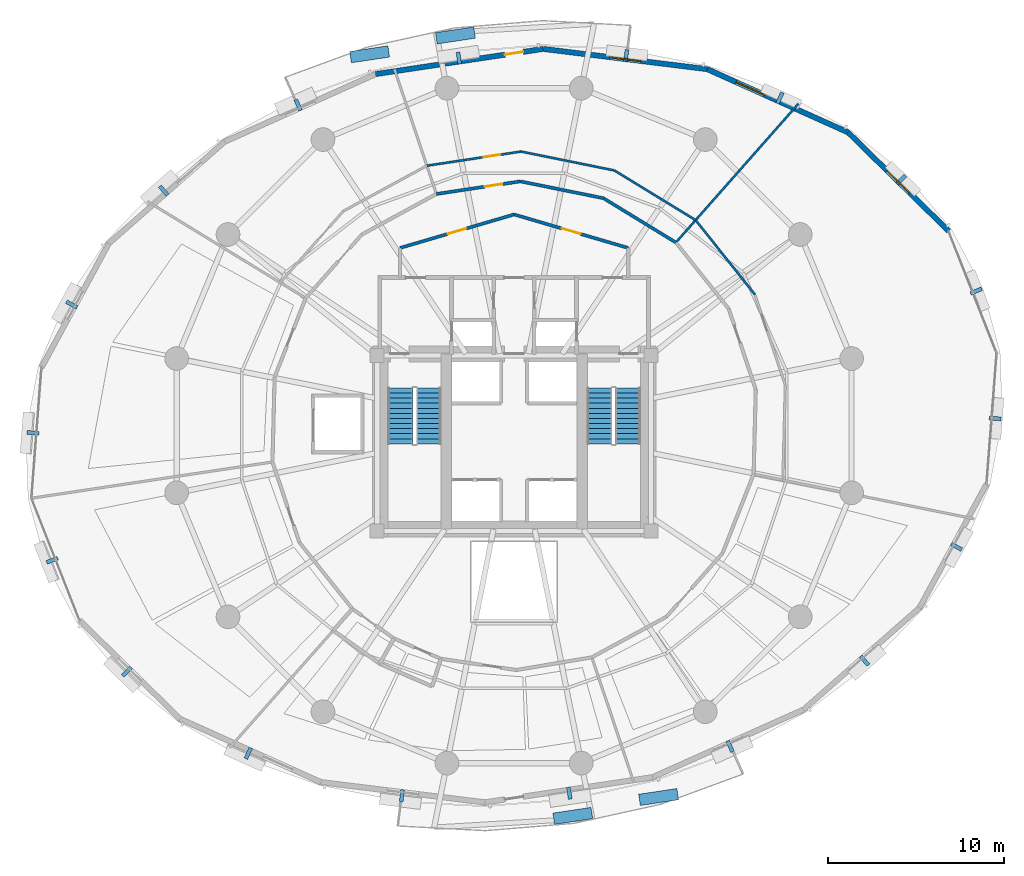
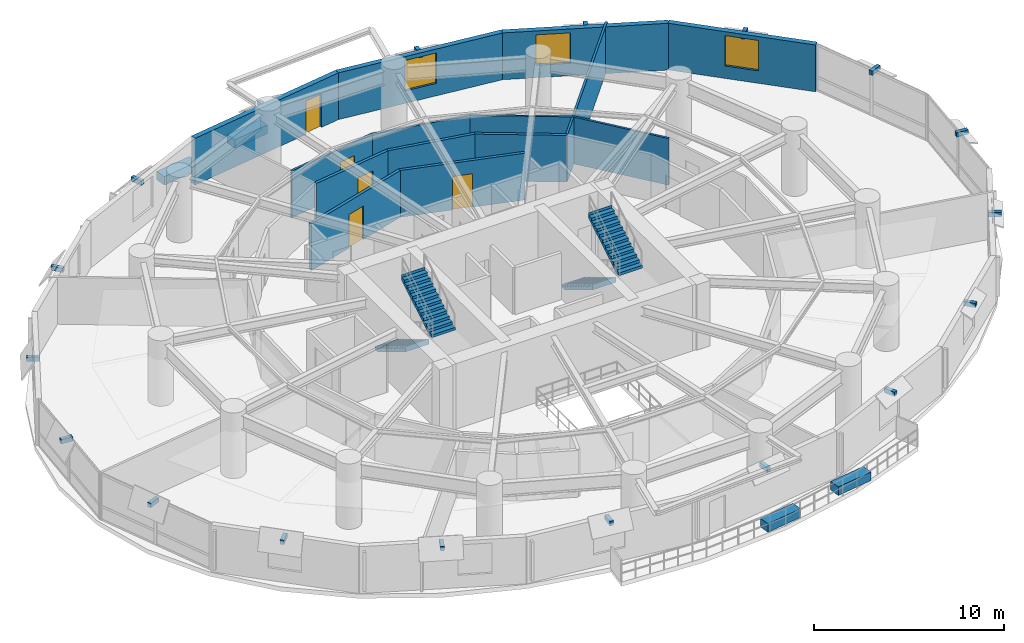
# One storey, part 14 of 17: 22 discrete accessories, 14 walls, 5 doors, 4 stair flights, 3 windows, 8 openings, 2 elements without a shape of their own.
"""IFC4 building model written with IfcOpenShell, lengths in metres."""

import ifcopenshell
import ifcopenshell.guid

model = None  # the IFC model being written
_history = None  # IfcOwnerHistory: only IFC2X3 demands one
_inside = {}  # id of a spatial element -> (the spatial element, [elements in it])
_under = {}  # id of a project, library or spatial element -> (it, [spatial elements below it])
_declared = {}  # id of a project -> (the project, [libraries it declares])
_typed = {}  # id of a type object -> (the type object, [elements of that type])
_made_of = {}  # id of a material, layer set ... -> (it, [elements and type objects made of it])


def new_model(schema):
    """Start an empty IFC model of exactly this schema.

    Asked for "IFC4X3", IfcOpenShell would pick the latest addendum, in which some entities
    have other attributes; the version numbers below select the first issue.
    IFC2X3 requires an IfcOwnerHistory on every rooted entity: one is made here for all.
    """
    global model, _history
    if schema == "IFC4X3":
        model = ifcopenshell.file(schema_version=(4, 3, 0, 0))
    else:
        model = ifcopenshell.file(schema=schema)
    _inside.clear()
    _under.clear()
    _declared.clear()
    _typed.clear()
    _made_of.clear()
    _history = None
    if model.schema == "IFC2X3":
        org = make("IfcOrganization", Name="unknown")
        user = make(
            "IfcPersonAndOrganization",
            ThePerson=make("IfcPerson", FamilyName="unknown"),
            TheOrganization=org,
        )
        app = make(
            "IfcApplication",
            ApplicationDeveloper=org,
            Version="unknown",
            ApplicationFullName="unknown",
            ApplicationIdentifier="unknown",
        )
        _history = make(
            "IfcOwnerHistory",
            OwningUser=user,
            OwningApplication=app,
            ChangeAction="ADDED",
            CreationDate=0,
        )
    return model


def make(cls, **values):
    """One entity of the class cls with the attributes given. An attribute that is None is left unset."""
    return model.create_entity(
        cls, **{name: value for name, value in values.items() if value is not None}
    )


def rooted(cls, **values):
    """An entity with a GlobalId (a new one), such as an element, a storey or a relation."""
    return make(cls, GlobalId=ifcopenshell.guid.new(), OwnerHistory=_history, **values)


def si_unit(unit_type, name, prefix=None):
    """IfcSIUnit, for example si_unit("LENGTHUNIT", "METRE", prefix="MILLI")."""
    return make("IfcSIUnit", UnitType=unit_type, Prefix=prefix, Name=name)


def assignment(units):
    """IfcUnitAssignment: the units of a project."""
    return None if units is None else make("IfcUnitAssignment", Units=units)


def point(xyz):
    """IfcCartesianPoint."""
    return None if xyz is None else make("IfcCartesianPoint", Coordinates=xyz)


def direction(xyz):
    """IfcDirection."""
    return None if xyz is None else make("IfcDirection", DirectionRatios=xyz)


def frame(location, z_axis=None, x_axis=None):
    """IfcAxis2Placement3D, a coordinate frame: its origin and axes. An axis left out is left unset."""
    return make(
        "IfcAxis2Placement3D",
        Location=point(location),
        Axis=direction(z_axis),
        RefDirection=direction(x_axis),
    )


def frame_2d(location, x_axis=None):
    """IfcAxis2Placement2D, a coordinate frame in the plane: its origin and x axis."""
    return make(
        "IfcAxis2Placement2D", Location=point(location), RefDirection=direction(x_axis)
    )


def origin():
    """The frame at (0, 0, 0) with its axes left unset."""
    return frame((0.0, 0.0, 0.0))


def origin_2d():
    """The frame at (0, 0) in the plane with its x axis left unset."""
    return frame_2d((0.0, 0.0))


def place(relative_to, where):
    """IfcLocalPlacement: puts the frame where relative to a parent placement (None: the world)."""
    return make(
        "IfcLocalPlacement", PlacementRelTo=relative_to, RelativePlacement=where
    )


def context(
    kind, dimensions, precision=None, world=None, true_north=None, identifier=None
):
    """IfcGeometricRepresentationContext, for example the 3D "Model" context."""
    return make(
        "IfcGeometricRepresentationContext",
        ContextIdentifier=identifier,
        ContextType=kind,
        CoordinateSpaceDimension=dimensions,
        Precision=precision,
        WorldCoordinateSystem=world,
        TrueNorth=true_north,
    )


def subcontext(parent, identifier, kind, view, scale=None):
    """IfcGeometricRepresentationSubContext, for example "Body" below "Model"."""
    return make(
        "IfcGeometricRepresentationSubContext",
        ContextIdentifier=identifier,
        ContextType=kind,
        ParentContext=parent,
        TargetScale=scale,
        TargetView=view,
    )


def project(units=None, contexts=None):
    """IfcProject with its units and contexts."""
    return rooted(
        "IfcProject",
        Name="project",
        RepresentationContexts=contexts,
        UnitsInContext=assignment(units),
    )


def spatial(cls, under=None, at=None, **own):
    """A site, building, storey or space (cls), placed at a placement, below another one or the project."""
    s = rooted(cls, ObjectPlacement=at, **own)
    if under is not None:
        _under.setdefault(under.id(), (under, []))[1].append(s)
    return s


def polyline(points):
    """IfcPolyline through the points."""
    return make("IfcPolyline", Points=[point(p) for p in points])


def profile(cls, at=None, kind="AREA", **sizes):
    """A parametric profile (cls). Its sizes go by their IFC names, for example OverallWidth=200.0."""
    return make(cls, ProfileType=kind, Position=at, **sizes)


def rectangle(**sizes):
    """IfcRectangleProfileDef."""
    return profile("IfcRectangleProfileDef", **sizes)


def outline(outer, holes=None, kind="AREA"):
    """IfcArbitraryClosedProfileDef: a profile drawn as a closed curve; with holes, ...WithVoids."""
    if holes is None:
        return make("IfcArbitraryClosedProfileDef", ProfileType=kind, OuterCurve=outer)
    return make(
        "IfcArbitraryProfileDefWithVoids",
        ProfileType=kind,
        OuterCurve=outer,
        InnerCurves=holes,
    )


def extrude(swept, where, along, depth):
    """IfcExtrudedAreaSolid: the profile swept, set in the frame where, extruded along a direction by depth."""
    return make(
        "IfcExtrudedAreaSolid",
        SweptArea=swept,
        Position=where,
        ExtrudedDirection=direction(along),
        Depth=depth,
    )


def shape(context_of_items, identifier, shape_type, items):
    """IfcShapeRepresentation: the items that make up one representation, for example the "Body"."""
    return make(
        "IfcShapeRepresentation",
        ContextOfItems=context_of_items,
        RepresentationIdentifier=identifier,
        RepresentationType=shape_type,
        Items=items,
    )


def material(Name=None, Category=None):
    """IfcMaterial."""
    return make("IfcMaterial", Name=Name, Category=Category)


def layer(
    of_material, thickness, ventilated=None, Name=None, Category=None, Priority=None
):
    """IfcMaterialLayer: one layer of a wall or slab, of a material (None: an air gap)."""
    return make(
        "IfcMaterialLayer",
        Material=of_material,
        LayerThickness=thickness,
        IsVentilated=ventilated,
        Name=Name,
        Category=Category,
        Priority=Priority,
    )


def layer_set(layers, Name=None):
    """IfcMaterialLayerSet."""
    return make("IfcMaterialLayerSet", MaterialLayers=layers, LayerSetName=Name)


def made_of(thing, what):
    """Note that an element or type object is made of a material, layer set ...; save() writes the relation."""
    if what is not None:
        _made_of.setdefault(what.id(), (what, []))[1].append(thing)
    return thing


def type_object(cls, material=None, **own):
    """A type object (cls), such as IfcWallType, which elements share."""
    return made_of(rooted(cls, **own), material)


def element(
    cls,
    number,
    at=None,
    inside=None,
    cuts=None,
    type_object=None,
    material=None,
    context=None,
    identifier="Body",
    shape_type=None,
    held_by="IfcProductDefinitionShape",
    body=None,
    shapes=None,
    **own,
):
    """One element of the class cls, such as IfcWall. Its Tag is "e" and its number.

    at: its placement. inside: the storey or other place that contains it. cuts: it is an
    opening in that element (IfcRelVoidsElement). A single representation is given by context,
    identifier, shape_type and body (its items); several are given by shapes. held_by: the class
    of the entity that holds the representations. save() writes the other relations.
    """
    e = rooted(cls, Tag="e%d" % number, ObjectPlacement=at, **own)
    if body is not None:
        shapes = [shape(context, identifier, shape_type, body)]
    if shapes is not None:
        e.Representation = make(held_by, Representations=shapes)
    if inside is not None:
        _inside.setdefault(inside.id(), (inside, []))[1].append(e)
    if cuts is not None:
        rooted(
            "IfcRelVoidsElement", RelatingBuildingElement=cuts, RelatedOpeningElement=e
        )
    if type_object is not None:
        _typed.setdefault(type_object.id(), (type_object, []))[1].append(e)
    return made_of(e, material)


def fill(opening, filler):
    """IfcRelFillsElement: the door or window that sits in an opening."""
    return rooted(
        "IfcRelFillsElement",
        RelatingOpeningElement=opening,
        RelatedBuildingElement=filler,
    )


def aggregate(whole, parts):
    """IfcRelAggregates: a whole, such as a stair, and the parts it consists of."""
    return rooted("IfcRelAggregates", RelatingObject=whole, RelatedObjects=parts)


def save(model, path):
    """Write the relations noted so far, then the file.

    IfcRelAggregates (storeys below a building ...), IfcRelContainedInSpatialStructure (elements
    in a storey), IfcRelDefinesByType, IfcRelAssociatesMaterial and IfcRelDeclares: one each for
    every whole, place, type object, material and project.
    """
    for whole, parts in _under.values():
        aggregate(whole, parts)
    for where, things in _inside.values():
        rooted(
            "IfcRelContainedInSpatialStructure",
            RelatedElements=things,
            RelatingStructure=where,
        )
    for kind, things in _typed.values():
        rooted("IfcRelDefinesByType", RelatedObjects=things, RelatingType=kind)
    for what, things in _made_of.values():
        rooted("IfcRelAssociatesMaterial", RelatedObjects=things, RelatingMaterial=what)
    for by, libraries in _declared.values():
        rooted("IfcRelDeclares", RelatingContext=by, RelatedDefinitions=libraries)
    model.write(path)


model = new_model("IFC4")

# Units and contexts
model_context = context("Model", 3, precision=1e-05, world=origin(), true_north=direction((0.0, 1.0)))
body_context = subcontext(model_context, "Body", "Model", "MODEL_VIEW")
ifc_project = project(units=[si_unit("LENGTHUNIT", "METRE"), si_unit("AREAUNIT", "SQUARE_METRE"), si_unit("VOLUMEUNIT", "CUBIC_METRE"), si_unit("PLANEANGLEUNIT", "RADIAN"), si_unit("MASSUNIT", "GRAM", prefix="KILO"), si_unit("THERMODYNAMICTEMPERATUREUNIT", "KELVIN"), si_unit("POWERUNIT", "WATT")], contexts=[model_context])

# Site, building, storey
site_placement = place(None, origin())
site = spatial("IfcSite", under=ifc_project, at=site_placement, CompositionType="ELEMENT")
building_placement = place(site_placement, origin())
building = spatial("IfcBuilding", under=site, at=building_placement, Name="Ocrelia Relay Tower", CompositionType="ELEMENT")
storey_placement = place(building_placement, frame((0.0, 0.0, 67.800048828125)))
storey = spatial("IfcBuildingStorey", under=building, at=storey_placement, Name="L15", CompositionType="ELEMENT", Elevation=67.800048828125)

# Wall, opening, door
ifc_material_1 = material(Name="Gypsum Fireboard Partition EI60", Category="gypsum")
ifc_layer_1 = layer(ifc_material_1, 0.179931640625, Name="Gypsum Fireboard Partition EI60")
ifc_layer_set_1 = layer_set([ifc_layer_1], Name="Gypsum Fireboard Partition EI60")
wall_type_1 = type_object("IfcWallType", Name="W-CORR-EI60-180", PredefinedType="PARTITIONING", material=ifc_layer_set_1)
wall_1_placement = place(storey_placement, frame((27.5, 36.122802734375, 0.0), z_axis=(0.0, 0.0, 1.0), x_axis=(0.959546654541, 0.281549671923, 0.0)))
wall_1 = element("IfcWall", 1, at=wall_1_placement, inside=storey, type_object=wall_type_1, Name="L15 North Smoke Lobby W Screen Wall", PredefinedType="PARTITIONING", context=body_context, shape_type="SweptSolid", body=[
    extrude(rectangle(XDim=6.77392578125, YDim=0.179931640625, at=frame_2d((3.386962890625, 0.0))), origin(), (0.0, 0.0, 1.0), 3.0),
])
opening_1_placement = place(wall_1_placement, frame((2.8369140625, 0.0, 0.0)))
opening_1 = element("IfcOpeningElement", 2, at=opening_1_placement, cuts=wall_1, Name="Opening D-FD60", PredefinedType="OPENING", context=body_context, shape_type="SweptSolid", body=[
    extrude(rectangle(XDim=1.10009765625, YDim=2.14990234375, at=frame_2d((0.550048828125, 1.074951171875))), frame((0.0, 0.10009765625, 0.0), z_axis=(0.0, -1.0, 0.0), x_axis=(1.0, 0.0, 0.0)), (0.0, 0.0, 1.0), 0.199951171875),
])
ifc_material_2 = material(Name="Timber-core 60-min acoustic fire door", Category="wood")
door_type_1 = type_object("IfcDoorType", Name="DR-LOBBY-FD60-1100", OperationType="NOTDEFINED", PredefinedType="DOOR", material=ifc_material_2)
door_1_placement = place(opening_1_placement, origin())
door_1 = element("IfcDoor", 3, at=door_1_placement, inside=storey, type_object=door_type_1, Name="L15 North Smoke Lobby W Fire Door", OperationType="SINGLE_SWING_RIGHT", OverallHeight=2.14990234375, OverallWidth=1.10009765625, PredefinedType="DOOR", context=body_context, shape_type="SweptSolid", body=[
    extrude(rectangle(XDim=1.10009765625, YDim=2.14990234375, at=frame_2d((0.550048828125, 1.074951171875))), frame((0.0, 0.02490234375, 0.0), z_axis=(0.0, -1.0, 0.0), x_axis=(1.0, 0.0, 0.0)), (0.0, 0.0, 1.0), 0.050048828125),
])
fill(opening_1, door_1)

wall_2_placement = place(storey_placement, frame((34.0, 38.030029296875, 0.0), z_axis=(0.0, 0.0, 1.0), x_axis=(0.959546654541, -0.281549671923, 0.0)))
wall_2 = element("IfcWall", 4, at=wall_2_placement, inside=storey, type_object=wall_type_1, Name="L15 North Smoke Lobby E Screen Wall", PredefinedType="PARTITIONING", context=body_context, shape_type="SweptSolid", body=[
    extrude(rectangle(XDim=6.77392578125, YDim=0.179931640625, at=frame_2d((3.386962890625, 0.0))), origin(), (0.0, 0.0, 1.0), 3.0),
])
opening_2_placement = place(wall_2_placement, frame((2.8369140625, 0.0, 0.0)))
opening_2 = element("IfcOpeningElement", 5, at=opening_2_placement, cuts=wall_2, Name="Opening D-FD60", PredefinedType="OPENING", context=body_context, shape_type="SweptSolid", body=[
    extrude(rectangle(XDim=1.10009765625, YDim=2.14990234375, at=frame_2d((0.550048828125, 1.074951171875))), frame((0.0, 0.10009765625, 0.0), z_axis=(0.0, -1.0, 0.0), x_axis=(1.0, 0.0, 0.0)), (0.0, 0.0, 1.0), 0.199951171875),
])
door_2_placement = place(opening_2_placement, origin())
door_2 = element("IfcDoor", 6, at=door_2_placement, inside=storey, type_object=door_type_1, Name="L15 North Smoke Lobby E Fire Door", OperationType="SINGLE_SWING_LEFT", OverallHeight=2.14990234375, OverallWidth=1.10009765625, PredefinedType="DOOR", context=body_context, shape_type="SweptSolid", body=[
    extrude(rectangle(XDim=1.10009765625, YDim=2.14990234375, at=frame_2d((0.550048828125, 1.074951171875))), frame((0.0, 0.02490234375, 0.0), z_axis=(0.0, -1.0, 0.0), x_axis=(1.0, 0.0, 0.0)), (0.0, 0.0, 1.0), 0.050048828125),
])
fill(opening_2, door_2)

# Walls
wall_3_placement = place(storey_placement, frame((43.214599609375, 36.43359375, 0.0), z_axis=(0.0, 0.0, 1.0), x_axis=(-0.853113263306, 0.521725751685, 0.0)))
element("IfcWall", 7, at=wall_3_placement, inside=storey, type_object=wall_type_1, Name="L15 Telemetry Office B Corridor Partition 1", PredefinedType="PARTITIONING", context=body_context, shape_type="SweptSolid", body=[
    extrude(rectangle(XDim=4.83447265625, YDim=0.179931640625, at=frame_2d((2.417236328125, 0.0))), origin(), (0.0, 0.0, 1.0), 3.0),
])
wall_4_placement = place(storey_placement, frame((39.09033203125, 38.955810546875, 0.0), z_axis=(0.0, 0.0, 1.0), x_axis=(-0.98009600445, 0.198524109522, 0.0)))
element("IfcWall", 8, at=wall_4_placement, inside=storey, type_object=wall_type_1, Name="L15 Telemetry Office B Corridor Partition 2", PredefinedType="PARTITIONING", context=body_context, shape_type="SweptSolid", body=[
    extrude(rectangle(XDim=4.834228515625, YDim=0.179931640625, at=frame_2d((2.4169921875, 0.0))), origin(), (0.0, 0.0, 1.0), 3.0),
])

# Wall, opening, door
wall_5_placement = place(storey_placement, frame((34.352294921875, 39.91552734375, 0.0), z_axis=(0.0, 0.0, 1.0), x_axis=(-0.988886662028, -0.14867134782, 0.0)))
wall_5 = element("IfcWall", 9, at=wall_5_placement, inside=storey, type_object=wall_type_1, Name="L15 Telemetry Office B Corridor Partition 3", PredefinedType="PARTITIONING", context=body_context, shape_type="SweptSolid", body=[
    extrude(rectangle(XDim=4.83447265625, YDim=0.179931640625, at=frame_2d((2.417236328125, 0.0))), origin(), (0.0, 0.0, 1.0), 3.0),
])
opening_3_placement = place(wall_5_placement, frame((1.03369140625, 0.0, 0.0)))
opening_3 = element("IfcOpeningElement", 10, at=opening_3_placement, cuts=wall_5, Name="Opening D-RM100", PredefinedType="OPENING", context=body_context, shape_type="SweptSolid", body=[
    extrude(rectangle(XDim=1.0, YDim=2.14990234375, at=frame_2d((0.5, 1.074951171875))), frame((0.0, 0.10009765625, 0.0), z_axis=(0.0, -1.0, 0.0), x_axis=(1.0, 0.0, 0.0)), (0.0, 0.0, 1.0), 0.199951171875),
])
ifc_material_3 = material(Name="Acoustic oak veneer fire door", Category="wood")
door_type_2 = type_object("IfcDoorType", Name="DR-ROOM-FD60-1000", OperationType="NOTDEFINED", PredefinedType="DOOR", material=ifc_material_3)
door_3_placement = place(opening_3_placement, origin())
door_3 = element("IfcDoor", 11, at=door_3_placement, inside=storey, type_object=door_type_2, Name="L15 Telemetry Office B Entrance Door", OperationType="SINGLE_SWING_RIGHT", OverallHeight=2.14990234375, OverallWidth=1.0, PredefinedType="DOOR", context=body_context, shape_type="SweptSolid", body=[
    extrude(rectangle(XDim=1.0, YDim=2.14990234375, at=frame_2d((0.5, 1.074951171875))), frame((0.0, 0.02490234375, 0.0), z_axis=(0.0, -1.0, 0.0), x_axis=(1.0, 0.0, 0.0)), (0.0, 0.0, 1.0), 0.050048828125),
])
fill(opening_3, door_3)

# Wall, opening, window
ifc_material_4 = material(Name="Precast concrete C40/50 with oxide terracotta", Category="masonry")
ifc_layer_2 = layer(ifc_material_4, 0.300048828125, Name="Precast concrete C40/50 with oxide terracotta")
ifc_layer_set_2 = layer_set([ifc_layer_2], Name="Precast concrete C40/50 with oxide terracotta")
wall_type_2 = type_object("IfcWallType", Name="W-EXT-TERR-300", PredefinedType="SOLIDWALL", material=ifc_layer_set_2)
wall_6_placement = place(storey_placement, frame((58.75, 37.087890625, 0.0), z_axis=(0.0, 0.0, 1.0), x_axis=(-0.713861292458, 0.70028712335, 0.0)))
wall_6 = element("IfcWall", 12, at=wall_6_placement, inside=storey, type_object=wall_type_2, Name="L15 Oxide Terracotta Facade Wall 02", PredefinedType="SOLIDWALL", context=body_context, shape_type="SweptSolid", body=[
    extrude(rectangle(XDim=8.021728515625, YDim=0.300048828125, at=frame_2d((4.0107421875, 0.0))), origin(), (0.0, 0.0, 1.0), 3.0),
])
opening_4_placement = place(wall_6_placement, frame((3.111083984375, 0.0, 0.800048828125)))
opening_4 = element("IfcOpeningElement", 13, at=opening_4_placement, cuts=wall_6, Name="Opening W-02", PredefinedType="OPENING", context=body_context, shape_type="SweptSolid", body=[
    extrude(rectangle(XDim=1.800048828125, YDim=1.949951171875, at=frame_2d((0.89990234375, 0.97509765625))), frame((0.0, 0.16015625, 0.0), z_axis=(0.0, -1.0, 0.0), x_axis=(1.0, 0.0, 0.0)), (0.0, 0.0, 1.0), 0.320068359375),
])
ifc_material_5 = material(Name="Clear double-glazed low-E glass", Category="glass")
window_type = type_object("IfcWindowType", Name="WIN-Z1-1800x2100", PartitioningType="DOUBLE_PANEL_VERTICAL", PredefinedType="WINDOW", material=ifc_material_5)
window_1_placement = place(opening_4_placement, origin())
window_1 = element("IfcWindow", 14, at=window_1_placement, inside=storey, type_object=window_type, Name="L15 Facade Module Window 02", OverallHeight=1.949951171875, OverallWidth=1.800048828125, PartitioningType="SINGLE_PANEL", PredefinedType="WINDOW", context=body_context, shape_type="SweptSolid", body=[
    extrude(rectangle(XDim=1.800048828125, YDim=1.949951171875, at=frame_2d((0.89990234375, 0.97509765625))), frame((0.0, 0.030029296875, 0.0), z_axis=(0.0, -1.0, 0.0), x_axis=(1.0, 0.0, 0.0)), (0.0, 0.0, 1.0), 0.06005859375),
])
fill(opening_4, window_1)

wall_7_placement = place(storey_placement, frame((53.023681640625, 42.705322265625, 0.0), z_axis=(0.0, 0.0, 1.0), x_axis=(-0.912205999873, 0.409731880376, 0.0)))
wall_7 = element("IfcWall", 15, at=wall_7_placement, inside=storey, type_object=wall_type_2, Name="L15 Oxide Terracotta Facade Wall 03", PredefinedType="SOLIDWALL", context=body_context, shape_type="SweptSolid", body=[
    extrude(rectangle(XDim=8.79248046875, YDim=0.300048828125, at=frame_2d((4.396240234375, 0.0))), origin(), (0.0, 0.0, 1.0), 3.0),
])
opening_5_placement = place(wall_7_placement, frame((5.201904296875, 0.0, 0.800048828125)))
opening_5 = element("IfcOpeningElement", 16, at=opening_5_placement, cuts=wall_7, Name="Opening W-02", PredefinedType="OPENING", context=body_context, shape_type="SweptSolid", body=[
    extrude(rectangle(XDim=1.800048828125, YDim=1.949951171875, at=frame_2d((0.89990234375, 0.97509765625))), frame((0.0, 0.16015625, 0.0), z_axis=(0.0, -1.0, 0.0), x_axis=(1.0, 0.0, 0.0)), (0.0, 0.0, 1.0), 0.320068359375),
])
window_2_placement = place(opening_5_placement, origin())
window_2 = element("IfcWindow", 17, at=window_2_placement, inside=storey, type_object=window_type, Name="L15 Facade Module Window 03", OverallHeight=1.949951171875, OverallWidth=1.800048828125, PartitioningType="SINGLE_PANEL", PredefinedType="WINDOW", context=body_context, shape_type="SweptSolid", body=[
    extrude(rectangle(XDim=1.800048828125, YDim=1.949951171875, at=frame_2d((0.89990234375, 0.97509765625))), frame((0.0, 0.030029296875, 0.0), z_axis=(0.0, -1.0, 0.0), x_axis=(1.0, 0.0, 0.0)), (0.0, 0.0, 1.0), 0.06005859375),
])
fill(opening_5, window_2)

wall_8_placement = place(storey_placement, frame((45.003173828125, 46.307861328125, 0.0), z_axis=(0.0, 0.0, 1.0), x_axis=(-0.992477952792, 0.122423499466, 0.0)))
wall_8 = element("IfcWall", 18, at=wall_8_placement, inside=storey, type_object=wall_type_2, Name="L15 Oxide Terracotta Facade Wall 04", PredefinedType="SOLIDWALL", context=body_context, shape_type="SweptSolid", body=[
    extrude(rectangle(XDim=9.418701171875, YDim=0.300048828125, at=frame_2d((4.70947265625, 0.0))), origin(), (0.0, 0.0, 1.0), 3.0),
])
opening_6_placement = place(wall_8_placement, frame((3.80908203125, 0.0, 0.800048828125)))
opening_6 = element("IfcOpeningElement", 19, at=opening_6_placement, cuts=wall_8, Name="Opening W-02", PredefinedType="OPENING", context=body_context, shape_type="SweptSolid", body=[
    extrude(rectangle(XDim=1.800048828125, YDim=1.949951171875, at=frame_2d((0.89990234375, 0.97509765625))), frame((0.0, 0.16015625, 0.0), z_axis=(0.0, -1.0, 0.0), x_axis=(1.0, 0.0, 0.0)), (0.0, 0.0, 1.0), 0.320068359375),
])
window_3_placement = place(opening_6_placement, origin())
window_3 = element("IfcWindow", 20, at=window_3_placement, inside=storey, type_object=window_type, Name="L15 Facade Module Window 04", OverallHeight=1.949951171875, OverallWidth=1.800048828125, PartitioningType="SINGLE_PANEL", PredefinedType="WINDOW", context=body_context, shape_type="SweptSolid", body=[
    extrude(rectangle(XDim=1.800048828125, YDim=1.949951171875, at=frame_2d((0.89990234375, 0.97509765625))), frame((0.0, 0.030029296875, 0.0), z_axis=(0.0, -1.0, 0.0), x_axis=(1.0, 0.0, 0.0)), (0.0, 0.0, 1.0), 0.06005859375),
])
fill(opening_6, window_3)

# Wall, opening, door
wall_9_placement = place(storey_placement, frame((35.6552734375, 47.4609375, 0.0), z_axis=(0.0, 0.0, 1.0), x_axis=(-0.988888262402, -0.148660702551, 0.0)))
wall_9 = element("IfcWall", 21, at=wall_9_placement, inside=storey, type_object=wall_type_2, Name="L15 Oxide Terracotta Facade Wall 05", PredefinedType="SOLIDWALL", context=body_context, shape_type="SweptSolid", body=[
    extrude(rectangle(XDim=9.65478515625, YDim=0.300048828125, at=frame_2d((4.827392578125, 0.0))), origin(), (0.0, 0.0, 1.0), 3.0),
])
opening_7_placement = place(wall_9_placement, frame((1.14990234375, 0.0, 0.0)))
opening_7 = element("IfcOpeningElement", 22, at=opening_7_placement, cuts=wall_9, Name="Opening DB-105", PredefinedType="OPENING", context=body_context, shape_type="SweptSolid", body=[
    extrude(rectangle(XDim=1.050048828125, YDim=2.14990234375, at=frame_2d((0.52490234375, 1.074951171875))), frame((0.0, 0.16015625, 0.0), z_axis=(0.0, -1.0, 0.0), x_axis=(1.0, 0.0, 0.0)), (0.0, 0.0, 1.0), 0.320068359375),
])
ifc_material_6 = material(Name="Thermally broken aluminium and clear glass", Category="aluminium")
door_type_3 = type_object("IfcDoorType", Name="DR-BALC-1050", OperationType="NOTDEFINED", PredefinedType="DOOR", material=ifc_material_6)
door_4_placement = place(opening_7_placement, origin())
door_4 = element("IfcDoor", 23, at=door_4_placement, inside=storey, type_object=door_type_3, Name="L15 Planted Loggia Balcony Door B1", OperationType="SINGLE_SWING_LEFT", OverallHeight=2.14990234375, OverallWidth=1.050048828125, PredefinedType="DOOR", context=body_context, shape_type="SweptSolid", body=[
    extrude(rectangle(XDim=1.050048828125, YDim=2.14990234375, at=frame_2d((0.52490234375, 1.074951171875))), frame((0.0, 0.02490234375, 0.0), z_axis=(0.0, -1.0, 0.0), x_axis=(1.0, 0.0, 0.0)), (0.0, 0.0, 1.0), 0.050048828125),
])
fill(opening_7, door_4)

# Walls
ifc_material_7 = material(Name="Acoustic Fireboard Partition EI60", Category="gypsum")
ifc_layer_3 = layer(ifc_material_7, 0.125, Name="Acoustic Fireboard Partition EI60")
ifc_layer_set_3 = layer_set([ifc_layer_3], Name="Acoustic Fireboard Partition EI60")
wall_type_3 = type_object("IfcWallType", Name="W-PART-125", PredefinedType="PARTITIONING", material=ifc_layer_set_3)
wall_10_placement = place(storey_placement, frame((43.214599609375, 36.43359375, 0.0), z_axis=(0.0, 0.0, 1.0), x_axis=(0.66196750906, 0.749532532282, 0.0)))
element("IfcWall", 24, at=wall_10_placement, inside=storey, type_object=wall_type_3, Name="L15 Hardware Testing Laboratory Radial Partition", PredefinedType="PARTITIONING", context=body_context, shape_type="SweptSolid", body=[
    extrude(rectangle(XDim=10.55029296875, YDim=0.125, at=frame_2d((5.275146484375, 0.0))), origin(), (0.0, 0.0, 1.0), 3.0),
])
wall_11_placement = place(storey_placement, frame((47.720703125, 33.465087890625, 0.0), z_axis=(0.0, 0.0, 1.0), x_axis=(-0.623201124623, 0.782061607719, 0.0)))
element("IfcWall", 25, at=wall_11_placement, inside=storey, type_object=wall_type_3, Name="L15 Perimeter Hardware Testing Laboratory Mid-Ring Partition 3", PredefinedType="PARTITIONING", context=body_context, shape_type="SweptSolid", body=[
    extrude(rectangle(XDim=5.425048828125, YDim=0.125, at=frame_2d((2.71240234375, 0.0))), origin(), (0.0, 0.0, 1.0), 3.0),
])
wall_12_placement = place(storey_placement, frame((44.33984375, 37.707763671875, 0.0), z_axis=(0.0, 0.0, 1.0), x_axis=(-0.853093763248, 0.521757636367, 0.0)))
element("IfcWall", 26, at=wall_12_placement, inside=storey, type_object=wall_type_3, Name="L15 Perimeter Telemetry Office B Mid-Ring Partition 1", PredefinedType="PARTITIONING", context=body_context, shape_type="SweptSolid", body=[
    extrude(rectangle(XDim=5.424560546875, YDim=0.125, at=frame_2d((2.71240234375, 0.0))), origin(), (0.0, 0.0, 1.0), 3.0),
])
wall_13_placement = place(storey_placement, frame((39.712158203125, 40.5380859375, 0.0), z_axis=(0.0, 0.0, 1.0), x_axis=(-0.980098278916, 0.198512880352, 0.0)))
element("IfcWall", 27, at=wall_13_placement, inside=storey, type_object=wall_type_3, Name="L15 Perimeter Telemetry Office B Mid-Ring Partition 2", PredefinedType="PARTITIONING", context=body_context, shape_type="SweptSolid", body=[
    extrude(rectangle(XDim=5.4248046875, YDim=0.125, at=frame_2d((2.71240234375, 0.0))), origin(), (0.0, 0.0, 1.0), 3.0),
])

# Wall, opening, door
wall_14_placement = place(storey_placement, frame((34.395263671875, 41.614990234375, 0.0), z_axis=(0.0, 0.0, 1.0), x_axis=(-0.988889758913, -0.148650747449, 0.0)))
wall_14 = element("IfcWall", 28, at=wall_14_placement, inside=storey, type_object=wall_type_3, Name="L15 Perimeter Telemetry Office B Mid-Ring Partition 3", PredefinedType="PARTITIONING", context=body_context, shape_type="SweptSolid", body=[
    extrude(rectangle(XDim=5.4248046875, YDim=0.125, at=frame_2d((2.71240234375, 0.0))), origin(), (0.0, 0.0, 1.0), 3.0),
])
opening_8_placement = place(wall_14_placement, frame((1.208740234375, 0.0, 0.0)))
opening_8 = element("IfcOpeningElement", 29, at=opening_8_placement, cuts=wall_14, Name="Opening D-RM95", PredefinedType="OPENING", context=body_context, shape_type="SweptSolid", body=[
    extrude(rectangle(XDim=0.949951171875, YDim=2.14990234375, at=frame_2d((0.47509765625, 1.074951171875))), frame((0.0, 0.072509765625, 0.0), z_axis=(0.0, -1.0, 0.0), x_axis=(1.0, 0.0, 0.0)), (0.0, 0.0, 1.0), 0.14501953125),
])
door_type_4 = type_object("IfcDoorType", Name="DR-ROOM-950", OperationType="NOTDEFINED", PredefinedType="DOOR", material=ifc_material_3)
door_5_placement = place(opening_8_placement, origin())
door_5 = element("IfcDoor", 30, at=door_5_placement, inside=storey, type_object=door_type_4, Name="L15 Perimeter Telemetry Office B Connecting Door", OperationType="SINGLE_SWING_LEFT", OverallHeight=2.14990234375, OverallWidth=0.949951171875, PredefinedType="DOOR", context=body_context, shape_type="SweptSolid", body=[
    extrude(rectangle(XDim=0.949951171875, YDim=2.14990234375, at=frame_2d((0.47509765625, 1.074951171875))), frame((0.0, 0.02490234375, 0.0), z_axis=(0.0, -1.0, 0.0), x_axis=(1.0, 0.0, 0.0)), (0.0, 0.0, 1.0), 0.050048828125),
])
fill(opening_8, door_5)

# Stair, stair flights
ifc_material_8 = material(Name="Concrete C50/60", Category="concrete")
stair_type = type_object("IfcStairType", Name="ST-DL-1420-R175", PredefinedType="HALF_TURN_STAIR", material=ifc_material_8)
stair_1_placement = place(storey_placement, origin())
stair_1 = element("IfcStair", 31, at=stair_1_placement, inside=storey, type_object=stair_type, Name="L15 West Core Exit Stair ST1", PredefinedType="HALF_TURN_STAIR")
stair_flight_type = type_object("IfcStairFlightType", Name="STF-DL-1420-R175", PredefinedType="STRAIGHT", material=ifc_material_8)
stair_flight_1_placement = place(storey_placement, frame((27.52001953125, 28.14990234375, 0.0), z_axis=(0.0, 0.0, 1.0), x_axis=(0.0, -1.0, 0.0)))
stair_flight_1 = element("IfcStairFlight", 32, at=stair_flight_1_placement, type_object=stair_flight_type, Name="ST1 flight 1", NumberOfRisers=12, NumberOfTreads=11, PredefinedType="STRAIGHT", RiserHeight=0.175, TreadLength=0.29, context=body_context, shape_type="SweptSolid", body=[
    extrude(outline(polyline([(-0.008056640625, 0.0), (-0.008056640625, 0.175048828125), (0.0, 0.175048828125), (0.2900390625, 0.175048828125), (0.2900390625, 0.35009765625), (0.580078125, 0.35009765625), (0.580078125, 0.52490234375), (0.8701171875, 0.52490234375), (0.8701171875, 0.699951171875), (1.159912109375, 0.699951171875), (1.159912109375, 0.875), (1.449951171875, 0.875), (1.449951171875, 1.050048828125), (1.739990234375, 1.050048828125), (1.739990234375, 1.22509765625), (2.030029296875, 1.22509765625), (2.030029296875, 1.39990234375), (2.320068359375, 1.39990234375), (2.320068359375, 1.574951171875), (2.610107421875, 1.574951171875), (2.610107421875, 1.75), (2.89990234375, 1.75), (2.89990234375, 1.925048828125), (3.18994140625, 1.925048828125), (3.18994140625, 2.10009765625), (3.197998046875, 2.10009765625), (3.197998046875, 1.75), (0.2900390625, 0.0), (-0.008056640625, 0.0)])), frame((0.0, 0.7099609375, 0.0), z_axis=(0.0, -1.0, 0.0), x_axis=(1.0, 0.0, 0.0)), (0.0, 0.0, 1.0), 1.419921875),
])
stair_flight_2_placement = place(storey_placement, frame((29.139892578125, 24.9599609375, 2.099853515625), z_axis=(0.0, 0.0, 1.0), x_axis=(0.0, 1.0, 0.0)))
stair_flight_2 = element("IfcStairFlight", 33, at=stair_flight_2_placement, type_object=stair_flight_type, Name="ST1 flight 2", NumberOfRisers=12, NumberOfTreads=11, PredefinedType="STRAIGHT", RiserHeight=0.175, TreadLength=0.29, context=body_context, shape_type="SweptSolid", body=[
    extrude(outline(polyline([(-0.008056640625, 0.0), (-0.008056640625, 0.175048828125), (0.0, 0.175048828125), (0.2900390625, 0.175048828125), (0.2900390625, 0.35009765625), (0.580078125, 0.35009765625), (0.580078125, 0.52490234375), (0.8701171875, 0.52490234375), (0.8701171875, 0.699951171875), (1.159912109375, 0.699951171875), (1.159912109375, 0.875), (1.449951171875, 0.875), (1.449951171875, 1.050048828125), (1.739990234375, 1.050048828125), (1.739990234375, 1.22509765625), (2.030029296875, 1.22509765625), (2.030029296875, 1.39990234375), (2.320068359375, 1.39990234375), (2.320068359375, 1.574951171875), (2.610107421875, 1.574951171875), (2.610107421875, 1.75), (2.89990234375, 1.75), (2.89990234375, 1.925048828125), (3.18994140625, 1.925048828125), (3.18994140625, 2.10009765625), (3.197998046875, 2.10009765625), (3.197998046875, 1.75), (0.2900390625, 0.0), (-0.008056640625, 0.0)])), frame((0.0, 0.7099609375, 0.0), z_axis=(0.0, -1.0, 0.0), x_axis=(1.0, 0.0, 0.0)), (0.0, 0.0, 1.0), 1.419921875),
])
aggregate(stair_1, [stair_flight_1, stair_flight_2])

stair_2_placement = place(storey_placement, origin())
stair_2 = element("IfcStair", 34, at=stair_2_placement, inside=storey, type_object=stair_type, Name="L15 East Core Exit Stair ST2", PredefinedType="HALF_TURN_STAIR")
stair_flight_3_placement = place(storey_placement, frame((38.8701171875, 28.14990234375, 0.0), z_axis=(0.0, 0.0, 1.0), x_axis=(0.0, -1.0, 0.0)))
stair_flight_3 = element("IfcStairFlight", 35, at=stair_flight_3_placement, type_object=stair_flight_type, Name="ST2 flight 1", NumberOfRisers=12, NumberOfTreads=11, PredefinedType="STRAIGHT", RiserHeight=0.175, TreadLength=0.29, context=body_context, shape_type="SweptSolid", body=[
    extrude(outline(polyline([(-0.008056640625, 0.0), (-0.008056640625, 0.175048828125), (0.0, 0.175048828125), (0.2900390625, 0.175048828125), (0.2900390625, 0.35009765625), (0.580078125, 0.35009765625), (0.580078125, 0.52490234375), (0.8701171875, 0.52490234375), (0.8701171875, 0.699951171875), (1.159912109375, 0.699951171875), (1.159912109375, 0.875), (1.449951171875, 0.875), (1.449951171875, 1.050048828125), (1.739990234375, 1.050048828125), (1.739990234375, 1.22509765625), (2.030029296875, 1.22509765625), (2.030029296875, 1.39990234375), (2.320068359375, 1.39990234375), (2.320068359375, 1.574951171875), (2.610107421875, 1.574951171875), (2.610107421875, 1.75), (2.89990234375, 1.75), (2.89990234375, 1.925048828125), (3.18994140625, 1.925048828125), (3.18994140625, 2.10009765625), (3.197998046875, 2.10009765625), (3.197998046875, 1.75), (0.2900390625, 0.0), (-0.008056640625, 0.0)])), frame((0.0, 0.7099609375, 0.0), z_axis=(0.0, -1.0, 0.0), x_axis=(1.0, 0.0, 0.0)), (0.0, 0.0, 1.0), 1.419921875),
])
stair_flight_4_placement = place(storey_placement, frame((40.489990234375, 24.9599609375, 2.099853515625), z_axis=(0.0, 0.0, 1.0), x_axis=(0.0, 1.0, 0.0)))
stair_flight_4 = element("IfcStairFlight", 36, at=stair_flight_4_placement, type_object=stair_flight_type, Name="ST2 flight 2", NumberOfRisers=12, NumberOfTreads=11, PredefinedType="STRAIGHT", RiserHeight=0.175, TreadLength=0.29, context=body_context, shape_type="SweptSolid", body=[
    extrude(outline(polyline([(-0.008056640625, 0.0), (-0.008056640625, 0.175048828125), (0.0, 0.175048828125), (0.2900390625, 0.175048828125), (0.2900390625, 0.35009765625), (0.580078125, 0.35009765625), (0.580078125, 0.52490234375), (0.8701171875, 0.52490234375), (0.8701171875, 0.699951171875), (1.159912109375, 0.699951171875), (1.159912109375, 0.875), (1.449951171875, 0.875), (1.449951171875, 1.050048828125), (1.739990234375, 1.050048828125), (1.739990234375, 1.22509765625), (2.030029296875, 1.22509765625), (2.030029296875, 1.39990234375), (2.320068359375, 1.39990234375), (2.320068359375, 1.574951171875), (2.610107421875, 1.574951171875), (2.610107421875, 1.75), (2.89990234375, 1.75), (2.89990234375, 1.925048828125), (3.18994140625, 1.925048828125), (3.18994140625, 2.10009765625), (3.197998046875, 2.10009765625), (3.197998046875, 1.75), (0.2900390625, 0.0), (-0.008056640625, 0.0)])), frame((0.0, 0.7099609375, 0.0), z_axis=(0.0, -1.0, 0.0), x_axis=(1.0, 0.0, 0.0)), (0.0, 0.0, 1.0), 1.419921875),
])
aggregate(stair_2, [stair_flight_3, stair_flight_4])

# Discrete accessories
ifc_material_9 = material(Name="Precast concrete C40/50 planter with highland greenery", Category="concrete")
discrete_accessory_type_1 = type_object("IfcDiscreteAccessoryType", Name="ACC-BALC-PLANTER", PredefinedType="USERDEFINED", material=ifc_material_9)
for number, where, z_axis, x_axis, name in (
    (37, (30.658203125, 48.2275390625, 0.0), (0.0, 0.0, 1.0), (0.988887895948, 0.148663140175, 0.0), "L15 Balcony Terracotta Planter with Greenery B1"),
    (38, (25.77001953125, 47.153564453125, 0.0), (0.0, 0.0, 1.0), (0.988887895948, 0.148663140175, 0.0), "L15 Balcony Terracotta Planter B1-2"),
    (39, (37.341796875, 3.7724609375, 0.0), (0.0, 0.0, 1.0), (-0.988887895948, -0.148663140175, 0.0), "L15 Balcony Terracotta Planter with Greenery B2"),
    (40, (42.22998046875, 4.846435546875, 0.0), (0.0, 0.0, 1.0), (-0.988887895948, -0.148663140175, 0.0), "L15 Balcony Terracotta Planter B2-2"),
):
    element("IfcDiscreteAccessory", number, at=place(storey_placement, frame(where, z_axis=z_axis, x_axis=x_axis)), inside=storey, type_object=discrete_accessory_type_1, Name=name, ObjectType="PLANTER", PredefinedType="USERDEFINED", context=body_context, shape_type="SweptSolid", body=[
        extrude(rectangle(XDim=2.199951171875, YDim=0.64990234375, at=origin_2d()), origin(), (0.0, 0.0, 1.0), 0.550048828125),
    ])
ifc_material_10 = material(Name="Steel S355", Category="steel")
discrete_accessory_type_2 = type_object("IfcDiscreteAccessoryType", Name="ACC-VISOR-BRACKET", PredefinedType="BRACKET", material=ifc_material_10)
for number, where, z_axis, x_axis, name in (
    (41, (60.3125, 33.66650390625, 2.69970703125), (0.0, 0.0, 1.0), (-0.366666983645, 0.930352257537, 0.0), "L15 Visor Mounting Bracket 01"),
    (42, (56.0556640625, 40.00390625, 2.69970703125), (0.0, 0.0, 1.0), (-0.71384979623, 0.700298842225, 0.0), "L15 Visor Mounting Bracket 02"),
    (43, (49.139404296875, 44.662109375, 2.69970703125), (0.0, 0.0, 1.0), (-0.912211329794, 0.409720013906, 0.0), "L15 Visor Mounting Bracket 03"),
    (44, (40.38720703125, 47.075927734375, 2.69970703125), (0.0, 0.0, 1.0), (-0.992477644782, 0.122425996456, 0.0), "L15 Visor Mounting Bracket 04"),
    (45, (30.851806640625, 46.941162109375, 2.69970703125), (0.0, 0.0, 1.0), (-0.988886764362, -0.148670667146, 0.0), "L15 Visor Mounting Bracket 05"),
    (46, (21.697998046875, 44.26611328125, 2.69970703125), (0.0, 0.0, 1.0), (-0.912604412346, -0.408843719001, 0.0), "L15 Visor Mounting Bracket 06"),
    (47, (14.04248046875, 39.385498046875, 2.69970703125), (0.0, 0.0, 1.0), (-0.751410930015, -0.659834535512, 0.0), "L15 Visor Mounting Bracket 07"),
    (48, (8.801513671875, 32.8994140625, 2.69970703125), (0.0, 0.0, 1.0), (-0.476377522101, -0.879240840974, 0.0), "L15 Visor Mounting Bracket 08"),
    (49, (6.596435546875, 25.590576171875, 2.69970703125), (0.0, 0.0, 1.0), (-0.076891882558, -0.997039436731, 0.0), "L15 Visor Mounting Bracket 09"),
    (50, (7.6875, 18.33349609375, 2.69970703125), (0.0, 0.0, 1.0), (0.366666983645, -0.930352257537, 0.0), "L15 Visor Mounting Bracket 10"),
    (51, (11.9443359375, 11.99609375, 2.69970703125), (0.0, 0.0, 1.0), (0.71384979623, -0.700298842225, 0.0), "L15 Visor Mounting Bracket 11"),
    (52, (18.860595703125, 7.337890625, 2.69970703125), (0.0, 0.0, 1.0), (0.912211329794, -0.409720013906, 0.0), "L15 Visor Mounting Bracket 12"),
    (53, (27.61279296875, 4.924072265625, 2.69970703125), (0.0, 0.0, 1.0), (0.992477644782, -0.122425996456, 0.0), "L15 Visor Mounting Bracket 13"),
    (54, (37.148193359375, 5.058837890625, 2.69970703125), (0.0, 0.0, 1.0), (0.988886764362, 0.148670667146, 0.0), "L15 Visor Mounting Bracket 14"),
    (55, (46.302001953125, 7.73388671875, 2.69970703125), (0.0, 0.0, 1.0), (0.912604412346, 0.408843719001, 0.0), "L15 Visor Mounting Bracket 15"),
    (56, (53.95751953125, 12.614501953125, 2.69970703125), (0.0, 0.0, 1.0), (0.751410930015, 0.659834535512, 0.0), "L15 Visor Mounting Bracket 16"),
    (57, (59.198486328125, 19.1005859375, 2.69970703125), (0.0, 0.0, 1.0), (0.476377522101, 0.879240840974, 0.0), "L15 Visor Mounting Bracket 17"),
    (58, (61.403564453125, 26.409423828125, 2.69970703125), (0.0, 0.0, 1.0), (0.076891882558, 0.997039436731, 0.0), "L15 Visor Mounting Bracket 18"),
):
    element("IfcDiscreteAccessory", number, at=place(storey_placement, frame(where, z_axis=z_axis, x_axis=x_axis)), inside=storey, type_object=discrete_accessory_type_2, Name=name, PredefinedType="BRACKET", context=body_context, shape_type="SweptSolid", body=[
        extrude(rectangle(XDim=0.219970703125, YDim=0.679931640625, at=origin_2d()), origin(), (0.0, 0.0, 1.0), 0.280029296875),
    ])

save(model, "model.ifc")
